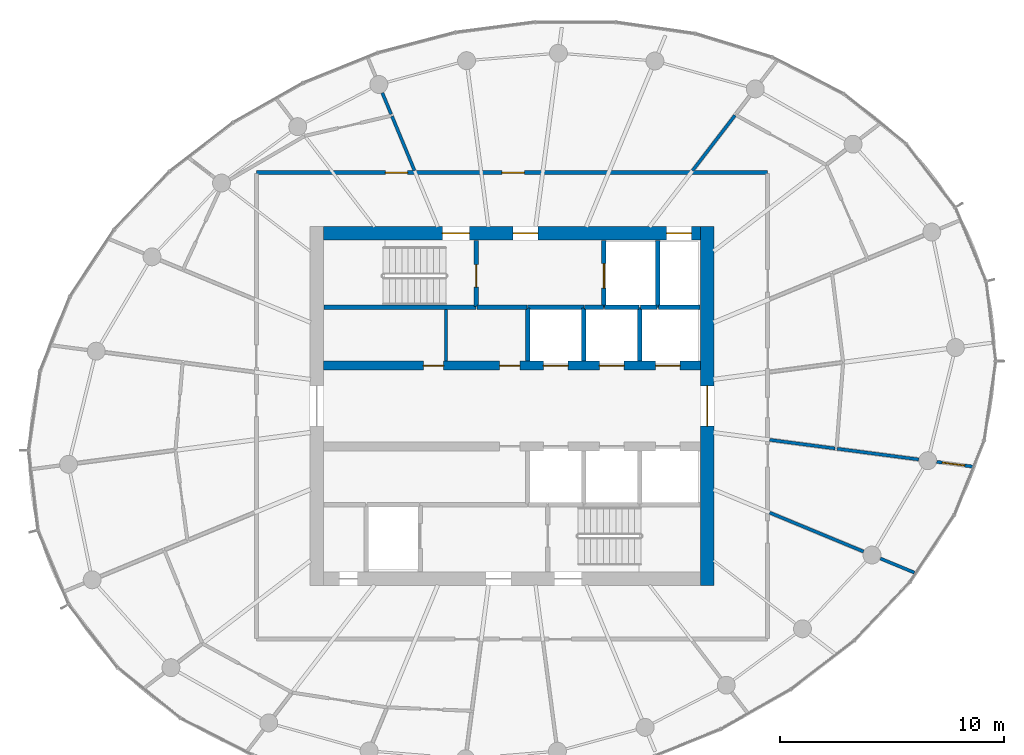
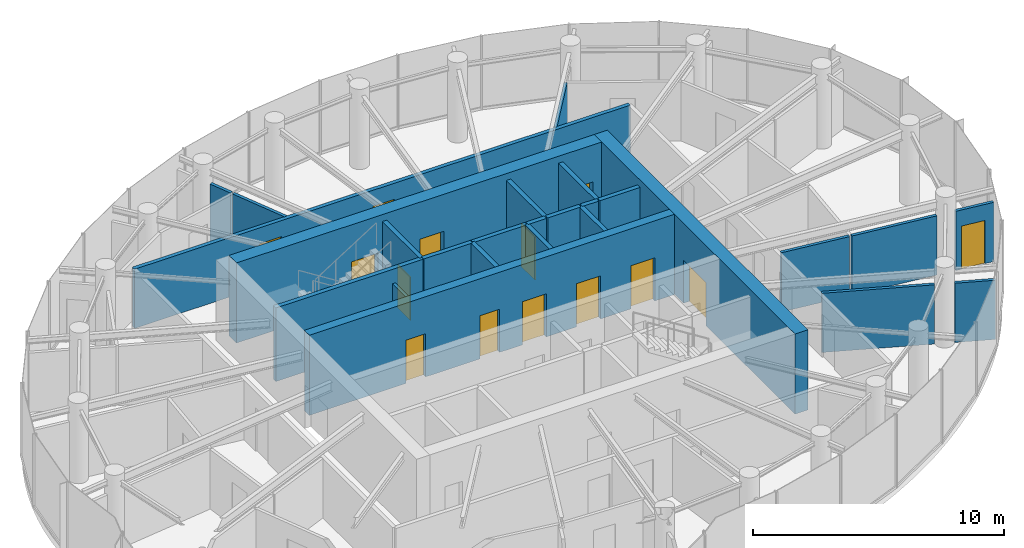
# One storey, part 10 of 13: 26 walls, 14 doors, 14 openings.
"""IFC4 building model written with IfcOpenShell, lengths in metres."""

from ifc_helpers import new_model, si_unit, direction, frame, frame_2d, origin, place, context, subcontext, project, spatial, rectangle, extrude, source, transform, mapped, material, layer, layer_set, type_object, element, fill, save


model = new_model("IFC4")

# Units and contexts
model_context = context("Model", 3, precision=1e-05, world=origin(), true_north=direction((0.0, 1.0)))
body_context = subcontext(model_context, "Body", "Model", "MODEL_VIEW")
ifc_project = project(units=[si_unit("LENGTHUNIT", "METRE"), si_unit("AREAUNIT", "SQUARE_METRE"), si_unit("VOLUMEUNIT", "CUBIC_METRE"), si_unit("PLANEANGLEUNIT", "RADIAN"), si_unit("MASSUNIT", "GRAM", prefix="KILO")], contexts=[model_context])

# Site, building, storey
site_placement = place(None, origin())
site = spatial("IfcSite", under=ifc_project, at=site_placement, CompositionType="ELEMENT")
building_placement = place(site_placement, origin())
building = spatial("IfcBuilding", under=site, at=building_placement, Name="Spindrift Exchange Tower", CompositionType="ELEMENT")
storey_placement = place(building_placement, frame((0.0, 0.0, 257.89990234375)))
storey = spatial("IfcBuildingStorey", under=building, at=storey_placement, Name="L63", CompositionType="ELEMENT", Elevation=257.89990234375)

# Wall, opening, door
ifc_material_1 = material(Name="Concrete 50 MPa", Category="concrete")
ifc_layer_1 = layer(ifc_material_1, 0.60009765625)
ifc_layer_set_1 = layer_set([ifc_layer_1], Name="RC Core Wall 600 Concrete 50 MPa")
wall_type_1 = type_object("IfcWallType", Name="RC Core Wall 600 Concrete 50 MPa", PredefinedType="SHEAR", material=ifc_layer_set_1)
wall_1_placement = place(storey_placement, frame((60.699951171875, 40.0, 0.0), z_axis=(0.0, 0.0, 1.0), x_axis=(0.0, 1.0, 0.0)))
wall_1 = element("IfcWall", 1, at=wall_1_placement, inside=storey, type_object=wall_type_1, Name="Core wall E L63", PredefinedType="SHEAR", context=body_context, shape_type="SweptSolid", body=[
    extrude(rectangle(XDim=16.0, YDim=0.60009765625, at=frame_2d((8.0, 0.0))), origin(), (0.0, 0.0, 1.0), 3.900146484375),
])
opening_1_placement = place(wall_1_placement, frame((7.10009765625, 0.0, 0.0)))
opening_1 = element("IfcOpeningElement", 2, at=opening_1_placement, cuts=wall_1, Name="Opening L63-D2", PredefinedType="OPENING", context=body_context, shape_type="SweptSolid", body=[
    extrude(rectangle(XDim=1.800048828125, YDim=2.10009765625, at=frame_2d((0.89990234375, 1.050048828125))), frame((0.0, 0.31005859375, 0.0), z_axis=(0.0, -1.0, 0.0), x_axis=(1.0, 0.0, 0.0)), (0.0, 0.0, 1.0), 0.6201171875),
])
ifc_material_2 = material(Name="Timber-core fire door", Category="wood")
door_type_1 = type_object("IfcDoorType", Name="DR-LOBBY-1800", OperationType="NOTDEFINED", PredefinedType="DOOR", material=ifc_material_2)
shared_shape_1 = source(origin(), body_context, "Body", "SweptSolid", [
    extrude(rectangle(XDim=1.800048828125, YDim=2.10009765625, at=frame_2d((0.89990234375, 1.050048828125))), frame((0.0, 0.02490234375, 0.0), z_axis=(0.0, -1.0, 0.0), x_axis=(1.0, 0.0, 0.0)), (0.0, 0.0, 1.0), 0.050048828125),
])
door_1_placement = place(opening_1_placement, origin())
door_1 = element("IfcDoor", 3, at=door_1_placement, inside=storey, type_object=door_type_1, Name="L63 Lobby door 2", OperationType="SINGLE_SWING_RIGHT", OverallHeight=2.10009765625, OverallWidth=1.800048828125, PredefinedType="DOOR", context=body_context, shape_type="MappedRepresentation", body=[
    mapped(shared_shape_1, transform((0.0, 0.0, 0.0), scale=1.0)),
])
fill(opening_1, door_1)

# Wall, openings, doors
wall_2_placement = place(storey_placement, frame((60.39990234375, 55.699951171875, 0.0), z_axis=(0.0, 0.0, 1.0), x_axis=(-1.0, 0.0, 0.0)))
wall_2 = element("IfcWall", 4, at=wall_2_placement, inside=storey, type_object=wall_type_1, Name="Core wall N L63", PredefinedType="SHEAR", context=body_context, shape_type="SweptSolid", body=[
    extrude(rectangle(XDim=16.7998046875, YDim=0.60009765625, at=frame_2d((8.39990234375, 0.0))), origin(), (0.0, 0.0, 1.0), 3.900146484375),
])
opening_2_placement = place(wall_2_placement, frame((0.39990234375, 0.0, 0.0)))
opening_2 = element("IfcOpeningElement", 5, at=opening_2_placement, cuts=wall_2, Name="Opening L63-D11", PredefinedType="OPENING", context=body_context, shape_type="SweptSolid", body=[
    extrude(rectangle(XDim=1.10009765625, YDim=2.10009765625, at=frame_2d((0.550048828125, 1.050048828125))), frame((0.0, 0.31005859375, 0.0), z_axis=(0.0, -1.0, 0.0), x_axis=(1.0, 0.0, 0.0)), (0.0, 0.0, 1.0), 0.6201171875),
])
opening_3_placement = place(wall_2_placement, frame((10.300048828125, 0.0, 0.0)))
opening_3 = element("IfcOpeningElement", 6, at=opening_3_placement, cuts=wall_2, Name="Opening L63-D12", PredefinedType="OPENING", context=body_context, shape_type="SweptSolid", body=[
    extrude(rectangle(XDim=1.199951171875, YDim=2.10009765625, at=frame_2d((0.60009765625, 1.050048828125))), frame((0.0, 0.31005859375, 0.0), z_axis=(0.0, -1.0, 0.0), x_axis=(1.0, 0.0, 0.0)), (0.0, 0.0, 1.0), 0.6201171875),
])
opening_4_placement = place(wall_2_placement, frame((7.25, 0.0, 0.0)))
opening_4 = element("IfcOpeningElement", 7, at=opening_4_placement, cuts=wall_2, Name="Opening L63-D14", PredefinedType="OPENING", context=body_context, shape_type="SweptSolid", body=[
    extrude(rectangle(XDim=1.10009765625, YDim=2.10009765625, at=frame_2d((0.550048828125, 1.050048828125))), frame((0.0, 0.31005859375, 0.0), z_axis=(0.0, -1.0, 0.0), x_axis=(1.0, 0.0, 0.0)), (0.0, 0.0, 1.0), 0.6201171875),
])
ifc_material_3 = material(Name="Stainless steel landing door", Category="steel")
door_type_2 = type_object("IfcDoorType", Name="DR-LANDING-1100-SL", OperationType="DOUBLE_DOOR_SLIDING", PredefinedType="USERDEFINED", material=ifc_material_3)
shared_shape_2 = source(origin(), body_context, "Body", "SweptSolid", [
    extrude(rectangle(XDim=1.10009765625, YDim=2.10009765625, at=frame_2d((0.550048828125, 1.050048828125))), frame((0.0, 0.02490234375, 0.0), z_axis=(0.0, -1.0, 0.0), x_axis=(1.0, 0.0, 0.0)), (0.0, 0.0, 1.0), 0.050048828125),
])
door_2_placement = place(opening_2_placement, origin())
door_2 = element("IfcDoor", 8, at=door_2_placement, inside=storey, type_object=door_type_2, Name="L63 Lift landing door 11", ObjectType="LANDING DOOR", OperationType="DOUBLE_DOOR_SLIDING", OverallHeight=2.10009765625, OverallWidth=1.10009765625, PredefinedType="USERDEFINED", context=body_context, shape_type="MappedRepresentation", body=[
    mapped(shared_shape_2, transform((0.0, 0.0, 0.0), scale=1.0)),
])
fill(opening_2, door_2)
ifc_material_4 = material(Name="Steel fire door", Category="steel")
door_type_3 = type_object("IfcDoorType", Name="DR-STAIR-1200", OperationType="NOTDEFINED", PredefinedType="DOOR", material=ifc_material_4)
shared_shape_3 = source(origin(), body_context, "Body", "SweptSolid", [
    extrude(rectangle(XDim=1.199951171875, YDim=2.10009765625, at=frame_2d((0.60009765625, 1.050048828125))), frame((0.0, 0.02490234375, 0.0), z_axis=(0.0, -1.0, 0.0), x_axis=(1.0, 0.0, 0.0)), (0.0, 0.0, 1.0), 0.050048828125),
])
door_3_placement = place(opening_3_placement, origin())
door_3 = element("IfcDoor", 9, at=door_3_placement, inside=storey, type_object=door_type_3, Name="L63 Stair door 12", OperationType="SINGLE_SWING_LEFT", OverallHeight=2.10009765625, OverallWidth=1.199951171875, PredefinedType="DOOR", context=body_context, shape_type="MappedRepresentation", body=[
    mapped(shared_shape_3, transform((0.0, 0.0, 0.0), scale=1.0)),
])
fill(opening_3, door_3)
door_type_4 = type_object("IfcDoorType", Name="DR-LOBBY-1100", OperationType="NOTDEFINED", PredefinedType="DOOR", material=ifc_material_2)
shared_shape_4 = source(origin(), body_context, "Body", "SweptSolid", [
    extrude(rectangle(XDim=1.10009765625, YDim=2.10009765625, at=frame_2d((0.550048828125, 1.050048828125))), frame((0.0, 0.02490234375, 0.0), z_axis=(0.0, -1.0, 0.0), x_axis=(1.0, 0.0, 0.0)), (0.0, 0.0, 1.0), 0.050048828125),
])
door_4_placement = place(opening_4_placement, origin())
door_4 = element("IfcDoor", 10, at=door_4_placement, inside=storey, type_object=door_type_4, Name="L63 Lobby door 14", OperationType="SINGLE_SWING_LEFT", OverallHeight=2.10009765625, OverallWidth=1.10009765625, PredefinedType="DOOR", context=body_context, shape_type="MappedRepresentation", body=[
    mapped(shared_shape_4, transform((0.0, 0.0, 0.0), scale=1.0)),
])
fill(opening_4, door_4)

ifc_layer_2 = layer(ifc_material_1, 0.39990234375)
ifc_layer_set_2 = layer_set([ifc_layer_2], Name="RC Spine Wall 400 Concrete 50 MPa")
wall_type_2 = type_object("IfcWallType", Name="RC Spine Wall 400 Concrete 50 MPa", PredefinedType="SHEAR", material=ifc_layer_set_2)
wall_3_placement = place(storey_placement, frame((43.60009765625, 49.800048828125, 0.0), z_axis=(0.0, 0.0, 1.0), x_axis=(1.0, 0.0, 0.0)))
wall_3 = element("IfcWall", 11, at=wall_3_placement, inside=storey, type_object=wall_type_2, Name="Core spine wall N L63", PredefinedType="SHEAR", context=body_context, shape_type="SweptSolid", body=[
    extrude(rectangle(XDim=16.7998046875, YDim=0.39990234375, at=frame_2d((8.39990234375, 0.0))), origin(), (0.0, 0.0, 1.0), 3.900146484375),
])
opening_5_placement = place(wall_3_placement, frame((9.800048828125, 0.0, 0.0)))
opening_5 = element("IfcOpeningElement", 12, at=opening_5_placement, cuts=wall_3, Name="Opening L63-D3", PredefinedType="OPENING", context=body_context, shape_type="SweptSolid", body=[
    extrude(rectangle(XDim=1.10009765625, YDim=2.10009765625, at=frame_2d((0.550048828125, 1.050048828125))), frame((0.0, 0.2099609375, 0.0), z_axis=(0.0, -1.0, 0.0), x_axis=(1.0, 0.0, 0.0)), (0.0, 0.0, 1.0), 0.419921875),
])
opening_6_placement = place(wall_3_placement, frame((12.300048828125, 0.0, 0.0)))
opening_6 = element("IfcOpeningElement", 13, at=opening_6_placement, cuts=wall_3, Name="Opening L63-D4", PredefinedType="OPENING", context=body_context, shape_type="SweptSolid", body=[
    extrude(rectangle(XDim=1.10009765625, YDim=2.10009765625, at=frame_2d((0.550048828125, 1.050048828125))), frame((0.0, 0.2099609375, 0.0), z_axis=(0.0, -1.0, 0.0), x_axis=(1.0, 0.0, 0.0)), (0.0, 0.0, 1.0), 0.419921875),
])
opening_7_placement = place(wall_3_placement, frame((14.800048828125, 0.0, 0.0)))
opening_7 = element("IfcOpeningElement", 14, at=opening_7_placement, cuts=wall_3, Name="Opening L63-D5", PredefinedType="OPENING", context=body_context, shape_type="SweptSolid", body=[
    extrude(rectangle(XDim=1.10009765625, YDim=2.10009765625, at=frame_2d((0.550048828125, 1.050048828125))), frame((0.0, 0.2099609375, 0.0), z_axis=(0.0, -1.0, 0.0), x_axis=(1.0, 0.0, 0.0)), (0.0, 0.0, 1.0), 0.419921875),
])
opening_8_placement = place(wall_3_placement, frame((4.449951171875, 0.0, 0.0)))
opening_8 = element("IfcOpeningElement", 15, at=opening_8_placement, cuts=wall_3, Name="Opening L63-D43", PredefinedType="OPENING", context=body_context, shape_type="SweptSolid", body=[
    extrude(rectangle(XDim=0.89990234375, YDim=2.10009765625, at=frame_2d((0.449951171875, 1.050048828125))), frame((0.0, 0.2099609375, 0.0), z_axis=(0.0, -1.0, 0.0), x_axis=(1.0, 0.0, 0.0)), (0.0, 0.0, 1.0), 0.419921875),
])
opening_9_placement = place(wall_3_placement, frame((7.85009765625, 0.0, 0.0)))
opening_9 = element("IfcOpeningElement", 16, at=opening_9_placement, cuts=wall_3, Name="Opening L63-D44", PredefinedType="OPENING", context=body_context, shape_type="SweptSolid", body=[
    extrude(rectangle(XDim=0.89990234375, YDim=2.10009765625, at=frame_2d((0.449951171875, 1.050048828125))), frame((0.0, 0.2099609375, 0.0), z_axis=(0.0, -1.0, 0.0), x_axis=(1.0, 0.0, 0.0)), (0.0, 0.0, 1.0), 0.419921875),
])
door_5_placement = place(opening_5_placement, origin())
door_5 = element("IfcDoor", 17, at=door_5_placement, inside=storey, type_object=door_type_2, Name="L63 Lift landing door 3", ObjectType="LANDING DOOR", OperationType="DOUBLE_DOOR_SLIDING", OverallHeight=2.10009765625, OverallWidth=1.10009765625, PredefinedType="USERDEFINED", context=body_context, shape_type="MappedRepresentation", body=[
    mapped(shared_shape_2, transform((0.0, 0.0, 0.0), scale=1.0)),
])
fill(opening_5, door_5)
door_6_placement = place(opening_6_placement, origin())
door_6 = element("IfcDoor", 18, at=door_6_placement, inside=storey, type_object=door_type_2, Name="L63 Lift landing door 4", ObjectType="LANDING DOOR", OperationType="DOUBLE_DOOR_SLIDING", OverallHeight=2.10009765625, OverallWidth=1.10009765625, PredefinedType="USERDEFINED", context=body_context, shape_type="MappedRepresentation", body=[
    mapped(shared_shape_2, transform((0.0, 0.0, 0.0), scale=1.0)),
])
fill(opening_6, door_6)
door_7_placement = place(opening_7_placement, origin())
door_7 = element("IfcDoor", 19, at=door_7_placement, inside=storey, type_object=door_type_2, Name="L63 Lift landing door 5", ObjectType="LANDING DOOR", OperationType="DOUBLE_DOOR_SLIDING", OverallHeight=2.10009765625, OverallWidth=1.10009765625, PredefinedType="USERDEFINED", context=body_context, shape_type="MappedRepresentation", body=[
    mapped(shared_shape_2, transform((0.0, 0.0, 0.0), scale=1.0)),
])
fill(opening_7, door_7)
ifc_material_5 = material(Name="Steel access door", Category="steel")
door_type_5 = type_object("IfcDoorType", Name="DR-RISER-900", OperationType="NOTDEFINED", PredefinedType="DOOR", material=ifc_material_5)
shared_shape_5 = source(origin(), body_context, "Body", "SweptSolid", [
    extrude(rectangle(XDim=0.89990234375, YDim=2.10009765625, at=frame_2d((0.449951171875, 1.050048828125))), frame((0.0, 0.02490234375, 0.0), z_axis=(0.0, -1.0, 0.0), x_axis=(1.0, 0.0, 0.0)), (0.0, 0.0, 1.0), 0.050048828125),
])
door_8_placement = place(opening_8_placement, origin())
door_8 = element("IfcDoor", 20, at=door_8_placement, inside=storey, type_object=door_type_5, Name="L63 Riser door 43", OperationType="SINGLE_SWING_RIGHT", OverallHeight=2.10009765625, OverallWidth=0.89990234375, PredefinedType="DOOR", context=body_context, shape_type="MappedRepresentation", body=[
    mapped(shared_shape_5, transform((0.0, 0.0, 0.0), scale=1.0)),
])
fill(opening_8, door_8)
door_9_placement = place(opening_9_placement, origin())
door_9 = element("IfcDoor", 21, at=door_9_placement, inside=storey, type_object=door_type_5, Name="L63 Riser door 44", OperationType="SINGLE_SWING_LEFT", OverallHeight=2.10009765625, OverallWidth=0.89990234375, PredefinedType="DOOR", context=body_context, shape_type="MappedRepresentation", body=[
    mapped(shared_shape_5, transform((0.0, 0.0, 0.0), scale=1.0)),
])
fill(opening_9, door_9)

ifc_material_6 = material(Name="Fire-rated plasterboard partition", Category="gypsum")
ifc_layer_3 = layer(ifc_material_6, 0.179931640625)
ifc_layer_set_3 = layer_set([ifc_layer_3], Name="W-CORR-180")
wall_type_3 = type_object("IfcWallType", Name="W-CORR-180", PredefinedType="PARTITIONING", material=ifc_layer_set_3)
wall_4_placement = place(storey_placement, frame((40.60009765625, 58.39990234375, 0.0), z_axis=(0.0, 0.0, 1.0), x_axis=(1.0, 0.0, 0.0)))
wall_4 = element("IfcWall", 22, at=wall_4_placement, inside=storey, type_object=wall_type_3, Name="L63 Partition wall 27", PredefinedType="PARTITIONING", context=body_context, shape_type="SweptSolid", body=[
    extrude(rectangle(XDim=22.7998046875, YDim=0.179931640625, at=frame_2d((11.39990234375, 0.0))), origin(), (0.0, 0.0, 1.0), 2.880126953125),
])
opening_10_placement = place(wall_4_placement, frame((10.949951171875, 0.0, 0.0)))
opening_10 = element("IfcOpeningElement", 23, at=opening_10_placement, cuts=wall_4, Name="Opening L63-D25", PredefinedType="OPENING", context=body_context, shape_type="SweptSolid", body=[
    extrude(rectangle(XDim=1.0, YDim=2.10009765625, at=frame_2d((0.5, 1.050048828125))), frame((0.0, 0.099853515625, 0.0), z_axis=(0.0, -1.0, 0.0), x_axis=(1.0, 0.0, 0.0)), (0.0, 0.0, 1.0), 0.199951171875),
])
opening_11_placement = place(wall_4_placement, frame((5.75, 0.0, 0.0)))
opening_11 = element("IfcOpeningElement", 24, at=opening_11_placement, cuts=wall_4, Name="Opening L63-D26", PredefinedType="OPENING", context=body_context, shape_type="SweptSolid", body=[
    extrude(rectangle(XDim=1.0, YDim=2.10009765625, at=frame_2d((0.5, 1.050048828125))), frame((0.0, 0.099853515625, 0.0), z_axis=(0.0, -1.0, 0.0), x_axis=(1.0, 0.0, 0.0)), (0.0, 0.0, 1.0), 0.199951171875),
])
door_type_6 = type_object("IfcDoorType", Name="DR-ROOM-1000", OperationType="NOTDEFINED", PredefinedType="DOOR", material=ifc_material_2)
shared_shape_6 = source(origin(), body_context, "Body", "SweptSolid", [
    extrude(rectangle(XDim=1.0, YDim=2.10009765625, at=frame_2d((0.5, 1.050048828125))), frame((0.0, 0.02490234375, 0.0), z_axis=(0.0, -1.0, 0.0), x_axis=(1.0, 0.0, 0.0)), (0.0, 0.0, 1.0), 0.050048828125),
])
door_10_placement = place(opening_10_placement, origin())
door_10 = element("IfcDoor", 25, at=door_10_placement, inside=storey, type_object=door_type_6, Name="L63 Door 25", OperationType="SINGLE_SWING_RIGHT", OverallHeight=2.10009765625, OverallWidth=1.0, PredefinedType="DOOR", context=body_context, shape_type="MappedRepresentation", body=[
    mapped(shared_shape_6, transform((0.0, 0.0, 0.0), scale=1.0)),
])
fill(opening_10, door_10)
door_11_placement = place(opening_11_placement, origin())
door_11 = element("IfcDoor", 26, at=door_11_placement, inside=storey, type_object=door_type_6, Name="L63 Door 26", OperationType="SINGLE_SWING_LEFT", OverallHeight=2.10009765625, OverallWidth=1.0, PredefinedType="DOOR", context=body_context, shape_type="MappedRepresentation", body=[
    mapped(shared_shape_6, transform((0.0, 0.0, 0.0), scale=1.0)),
])
fill(opening_11, door_11)

# Walls
ifc_layer_4 = layer(ifc_material_6, 0.139892578125)
ifc_layer_set_4 = layer_set([ifc_layer_4], Name="W-PART-140")
wall_type_4 = type_object("IfcWallType", Name="W-PART-140", PredefinedType="PARTITIONING", material=ifc_layer_set_4)
wall_5_placement = place(storey_placement, frame((63.489990234375, 43.24072265625, 0.0), z_axis=(0.0, 0.0, 1.0), x_axis=(0.923863854318, -0.382721280679, 0.0)))
element("IfcWall", 27, at=wall_5_placement, inside=storey, type_object=wall_type_4, Name="L63 Partition wall 32", PredefinedType="PARTITIONING", context=body_context, shape_type="SweptSolid", body=[
    extrude(rectangle(XDim=4.5322265625, YDim=0.139892578125, at=frame_2d((2.26611328125, 0.0))), origin(), (0.0, 0.0, 1.0), 2.880126953125),
])
wall_6_placement = place(storey_placement, frame((66.501220703125, 46.0908203125, 0.0), z_axis=(0.0, 0.0, 1.0), x_axis=(0.99145021839, -0.130485495185, 0.0)))
element("IfcWall", 28, at=wall_6_placement, inside=storey, type_object=wall_type_4, Name="L63 Partition wall 47", PredefinedType="PARTITIONING", context=body_context, shape_type="SweptSolid", body=[
    extrude(rectangle(XDim=3.6689453125, YDim=0.139892578125, at=frame_2d((1.83447265625, 0.0))), origin(), (0.0, 0.0, 1.0), 2.880126953125),
])
wall_7_placement = place(storey_placement, frame((60.04931640625, 58.489990234375, 0.0), z_axis=(0.0, 0.0, 1.0), x_axis=(0.608731458137, 0.79337633685, 0.0)))
element("IfcWall", 29, at=wall_7_placement, inside=storey, type_object=wall_type_4, Name="L63 Partition wall 52", PredefinedType="PARTITIONING", context=body_context, shape_type="SweptSolid", body=[
    extrude(rectangle(XDim=3.10986328125, YDim=0.139892578125, at=frame_2d((1.554931640625, 0.0))), origin(), (0.0, 0.0, 1.0), 2.880126953125),
])
wall_8_placement = place(storey_placement, frame((63.489990234375, 46.4873046875, 0.0), z_axis=(0.0, 0.0, 1.0), x_axis=(0.991447220712, -0.130508270019, 0.0)))
element("IfcWall", 30, at=wall_8_placement, inside=storey, type_object=wall_type_4, Name="L63 Partition wall 55", PredefinedType="PARTITIONING", context=body_context, shape_type="SweptSolid", body=[
    extrude(rectangle(XDim=2.93701171875, YDim=0.139892578125, at=frame_2d((1.468505859375, 0.0))), origin(), (0.0, 0.0, 1.0), 2.880126953125),
])
wall_9_placement = place(storey_placement, frame((47.65478515625, 58.489990234375, 0.0), z_axis=(0.0, 0.0, 1.0), x_axis=(-0.382622530828, 0.923904756402, 0.0)))
element("IfcWall", 31, at=wall_9_placement, inside=storey, type_object=wall_type_4, Name="L63 Partition wall 57", PredefinedType="PARTITIONING", context=body_context, shape_type="SweptSolid", body=[
    extrude(rectangle(XDim=2.628173828125, YDim=0.139892578125, at=frame_2d((1.31396484375, 0.0))), origin(), (0.0, 0.0, 1.0), 2.880126953125),
])
wall_10_placement = place(storey_placement, frame((49.06005859375, 50.010009765625, 0.0), z_axis=(0.0, 0.0, 1.0), x_axis=(0.0, 1.0, 0.0)))
element("IfcWall", 32, at=wall_10_placement, inside=storey, type_object=wall_type_4, Name="L63 Partition wall 59", PredefinedType="PARTITIONING", context=body_context, shape_type="SweptSolid", body=[
    extrude(rectangle(XDim=2.2900390625, YDim=0.139892578125, at=frame_2d((1.14501953125, 0.0))), origin(), (0.0, 0.0, 1.0), 2.880126953125),
])
wall_11_placement = place(storey_placement, frame((68.42578125, 41.1962890625, 0.0), z_axis=(0.0, 0.0, 1.0), x_axis=(0.923884509339, -0.38267141702, 0.0)))
element("IfcWall", 33, at=wall_11_placement, inside=storey, type_object=wall_type_4, Name="L63 Partition wall 65", PredefinedType="PARTITIONING", context=body_context, shape_type="SweptSolid", body=[
    extrude(rectangle(XDim=1.6416015625, YDim=0.139892578125, at=frame_2d((0.82080078125, 0.0))), origin(), (0.0, 0.0, 1.0), 2.880126953125),
])

# Wall, opening, door
wall_12_placement = place(storey_placement, frame((70.941162109375, 45.50634765625, 0.0), z_axis=(0.0, 0.0, 1.0), x_axis=(0.991450239083, -0.130485337956, 0.0)))
wall_12 = element("IfcWall", 34, at=wall_12_placement, inside=storey, type_object=wall_type_4, Name="L63 Partition wall 67", PredefinedType="PARTITIONING", context=body_context, shape_type="SweptSolid", body=[
    extrude(rectangle(XDim=1.638916015625, YDim=0.139892578125, at=frame_2d((0.8193359375, 0.0))), origin(), (0.0, 0.0, 1.0), 2.880126953125),
])
opening_12_placement = place(wall_12_placement, frame((0.25, 0.0, 0.0)))
opening_12 = element("IfcOpeningElement", 35, at=opening_12_placement, cuts=wall_12, Name="Opening L63-D24", PredefinedType="OPENING", context=body_context, shape_type="SweptSolid", body=[
    extrude(rectangle(XDim=1.0, YDim=2.10009765625, at=frame_2d((0.5, 1.050048828125))), frame((0.0, 0.079833984375, 0.0), z_axis=(0.0, -1.0, 0.0), x_axis=(1.0, 0.0, 0.0)), (0.0, 0.0, 1.0), 0.159912109375),
])
door_12_placement = place(opening_12_placement, origin())
door_12 = element("IfcDoor", 36, at=door_12_placement, inside=storey, type_object=door_type_6, Name="L63 Door 24", OperationType="SINGLE_SWING_LEFT", OverallHeight=2.10009765625, OverallWidth=1.0, PredefinedType="DOOR", context=body_context, shape_type="MappedRepresentation", body=[
    mapped(shared_shape_6, transform((0.0, 0.0, 0.0), scale=1.0)),
])
fill(opening_12, door_12)

# Wall
wall_13_placement = place(storey_placement, frame((46.610595703125, 61.011474609375, 0.0), z_axis=(0.0, 0.0, 1.0), x_axis=(-0.382722926072, 0.923863172693, 0.0)))
element("IfcWall", 37, at=wall_13_placement, inside=storey, type_object=wall_type_4, Name="L63 Partition wall 80", PredefinedType="PARTITIONING", context=body_context, shape_type="SweptSolid", body=[
    extrude(rectangle(XDim=1.0263671875, YDim=0.139892578125, at=frame_2d((0.51318359375, 0.0))), origin(), (0.0, 0.0, 1.0), 2.880126953125),
])

# Wall, opening, door
ifc_material_7 = material(Name="Concrete 40 MPa", Category="concrete")
ifc_layer_5 = layer(ifc_material_7, 0.199951171875)
ifc_layer_set_5 = layer_set([ifc_layer_5], Name="W-SHAFT-200")
wall_type_5 = type_object("IfcWallType", Name="W-SHAFT-200", PredefinedType="SOLIDWALL", material=ifc_layer_set_5)
wall_14_placement = place(storey_placement, frame((56.10009765625, 55.3798828125, 0.0), z_axis=(0.0, 0.0, 1.0), x_axis=(0.0, -1.0, 0.0)))
wall_14 = element("IfcWall", 38, at=wall_14_placement, inside=storey, type_object=wall_type_5, Name="L63 Shaft wall 7", PredefinedType="SOLIDWALL", context=body_context, shape_type="SweptSolid", body=[
    extrude(rectangle(XDim=2.97998046875, YDim=0.199951171875, at=frame_2d((1.489990234375, 0.0))), origin(), (0.0, 0.0, 1.0), 3.580078125),
])
opening_13_placement = place(wall_14_placement, frame((1.030029296875, 0.0, 0.0)))
opening_13 = element("IfcOpeningElement", 39, at=opening_13_placement, cuts=wall_14, Name="Opening L63-D9", PredefinedType="OPENING", context=body_context, shape_type="SweptSolid", body=[
    extrude(rectangle(XDim=1.10009765625, YDim=2.10009765625, at=frame_2d((0.550048828125, 1.050048828125))), frame((0.0, 0.10986328125, 0.0), z_axis=(0.0, -1.0, 0.0), x_axis=(1.0, 0.0, 0.0)), (0.0, 0.0, 1.0), 0.219970703125),
])
door_13_placement = place(opening_13_placement, origin())
door_13 = element("IfcDoor", 40, at=door_13_placement, inside=storey, type_object=door_type_2, Name="L63 Lift landing door 9", ObjectType="LANDING DOOR", OperationType="DOUBLE_DOOR_SLIDING", OverallHeight=2.10009765625, OverallWidth=1.10009765625, PredefinedType="USERDEFINED", context=body_context, shape_type="MappedRepresentation", body=[
    mapped(shared_shape_2, transform((0.0, 0.0, 0.0), scale=1.0)),
])
fill(opening_13, door_13)

# Walls
wall_15_placement = place(storey_placement, frame((58.5, 52.39990234375, 0.0), z_axis=(0.0, 0.0, 1.0), x_axis=(0.0, 1.0, 0.0)))
element("IfcWall", 41, at=wall_15_placement, inside=storey, type_object=wall_type_5, Name="L63 Shaft wall 8", PredefinedType="SOLIDWALL", context=body_context, shape_type="SweptSolid", body=[
    extrude(rectangle(XDim=2.97998046875, YDim=0.199951171875, at=frame_2d((1.489990234375, 0.0))), origin(), (0.0, 0.0, 1.0), 3.580078125),
])
wall_16_placement = place(storey_placement, frame((55.199951171875, 52.39990234375, 0.0), z_axis=(0.0, 0.0, 1.0), x_axis=(-1.0, 0.0, 0.0)))
element("IfcWall", 42, at=wall_16_placement, inside=storey, type_object=wall_type_5, Name="L63 Shaft wall 10", PredefinedType="SOLIDWALL", context=body_context, shape_type="SweptSolid", body=[
    extrude(rectangle(XDim=2.5, YDim=0.199951171875, at=frame_2d((1.25, 0.0))), origin(), (0.0, 0.0, 1.0), 3.580078125),
])
for number, where, z_axis, x_axis, name in (
    (43, (52.699951171875, 52.3701171875, 0.0), (0.0, 0.0, 1.0), (0.0, -1.0, 0.0), "L63 Shaft wall 14"),
    (44, (55.199951171875, 50.010009765625, 0.0), (0.0, 0.0, 1.0), (0.0, 1.0, 0.0), "L63 Shaft wall 16"),
):
    element("IfcWall", number, at=place(storey_placement, frame(where, z_axis=z_axis, x_axis=x_axis)), inside=storey, type_object=wall_type_5, Name=name, PredefinedType="SOLIDWALL", context=body_context, shape_type="SweptSolid", body=[
        extrude(rectangle(XDim=2.360107421875, YDim=0.199951171875, at=frame_2d((1.18017578125, 0.0))), origin(), (0.0, 0.0, 1.0), 3.580078125),
    ])
wall_17_placement = place(storey_placement, frame((57.699951171875, 50.010009765625, 0.0), z_axis=(0.0, 0.0, 1.0), x_axis=(0.0, 1.0, 0.0)))
element("IfcWall", 45, at=wall_17_placement, inside=storey, type_object=wall_type_5, Name="L63 Shaft wall 18", PredefinedType="SOLIDWALL", context=body_context, shape_type="SweptSolid", body=[
    extrude(rectangle(XDim=2.389892578125, YDim=0.199951171875, at=frame_2d((1.19482421875, 0.0))), origin(), (0.0, 0.0, 1.0), 3.580078125),
])
wall_18_placement = place(storey_placement, frame((60.3798828125, 52.39990234375, 0.0), z_axis=(0.0, 0.0, 1.0), x_axis=(-1.0, 0.0, 0.0)))
element("IfcWall", 46, at=wall_18_placement, inside=storey, type_object=wall_type_5, Name="L63 Shaft wall 21", PredefinedType="SOLIDWALL", context=body_context, shape_type="SweptSolid", body=[
    extrude(rectangle(XDim=1.849853515625, YDim=0.199951171875, at=frame_2d((0.9248046875, 0.0))), origin(), (0.0, 0.0, 1.0), 3.580078125),
])
wall_19_placement = place(storey_placement, frame((57.669921875, 52.39990234375, 0.0), z_axis=(0.0, 0.0, 1.0), x_axis=(-1.0, 0.0, 0.0)))
element("IfcWall", 47, at=wall_19_placement, inside=storey, type_object=wall_type_5, Name="L63 Shaft wall 23", PredefinedType="SOLIDWALL", context=body_context, shape_type="SweptSolid", body=[
    extrude(rectangle(XDim=1.5400390625, YDim=0.199951171875, at=frame_2d((0.77001953125, 0.0))), origin(), (0.0, 0.0, 1.0), 3.580078125),
])
wall_20_placement = place(storey_placement, frame((56.070068359375, 52.39990234375, 0.0), z_axis=(0.0, 0.0, 1.0), x_axis=(-1.0, 0.0, 0.0)))
element("IfcWall", 48, at=wall_20_placement, inside=storey, type_object=wall_type_5, Name="L63 Shaft wall 25", PredefinedType="SOLIDWALL", context=body_context, shape_type="SweptSolid", body=[
    extrude(rectangle(XDim=0.840087890625, YDim=0.199951171875, at=frame_2d((0.419921875, 0.0))), origin(), (0.0, 0.0, 1.0), 3.580078125),
])
wall_21_placement = place(storey_placement, frame((58.469970703125, 52.39990234375, 0.0), z_axis=(0.0, 0.0, 1.0), x_axis=(-1.0, 0.0, 0.0)))
element("IfcWall", 49, at=wall_21_placement, inside=storey, type_object=wall_type_5, Name="L63 Shaft wall 26", PredefinedType="SOLIDWALL", context=body_context, shape_type="SweptSolid", body=[
    extrude(rectangle(XDim=0.739990234375, YDim=0.199951171875, at=frame_2d((0.3701171875, 0.0))), origin(), (0.0, 0.0, 1.0), 3.580078125),
])
ifc_layer_6 = layer(ifc_material_7, 0.199951171875)
ifc_layer_set_6 = layer_set([ifc_layer_6], Name="W-SHAFT-200-LB")
wall_type_6 = type_object("IfcWallType", Name="W-SHAFT-200-LB", PredefinedType="SOLIDWALL", material=ifc_layer_set_6)
wall_22_placement = place(storey_placement, frame((43.6201171875, 52.39990234375, 0.0), z_axis=(0.0, 0.0, 1.0), x_axis=(1.0, 0.0, 0.0)))
element("IfcWall", 50, at=wall_22_placement, inside=storey, type_object=wall_type_6, Name="L63 Shaft wall 1", PredefinedType="SOLIDWALL", context=body_context, shape_type="SweptSolid", body=[
    extrude(rectangle(XDim=6.77978515625, YDim=0.199951171875, at=frame_2d((3.389892578125, 0.0))), origin(), (0.0, 0.0, 1.0), 3.580078125),
])

# Wall, opening, door
wall_23_placement = place(storey_placement, frame((50.39990234375, 52.429931640625, 0.0), z_axis=(0.0, 0.0, 1.0), x_axis=(0.0, 1.0, 0.0)))
wall_23 = element("IfcWall", 51, at=wall_23_placement, inside=storey, type_object=wall_type_6, Name="L63 Shaft wall 5", PredefinedType="SOLIDWALL", context=body_context, shape_type="SweptSolid", body=[
    extrude(rectangle(XDim=2.949951171875, YDim=0.199951171875, at=frame_2d((1.47509765625, 0.0))), origin(), (0.0, 0.0, 1.0), 3.580078125),
])
opening_14_placement = place(wall_23_placement, frame((0.8701171875, 0.0, 0.0)))
opening_14 = element("IfcOpeningElement", 52, at=opening_14_placement, cuts=wall_23, Name="Opening L63-D13", PredefinedType="OPENING", context=body_context, shape_type="SweptSolid", body=[
    extrude(rectangle(XDim=1.0, YDim=2.10009765625, at=frame_2d((0.5, 1.050048828125))), frame((0.0, 0.10986328125, 0.0), z_axis=(0.0, -1.0, 0.0), x_axis=(1.0, 0.0, 0.0)), (0.0, 0.0, 1.0), 0.219970703125),
])
door_type_7 = type_object("IfcDoorType", Name="DR-STAIR-1000", OperationType="NOTDEFINED", PredefinedType="DOOR", material=ifc_material_4)
shared_shape_7 = source(origin(), body_context, "Body", "SweptSolid", [
    extrude(rectangle(XDim=1.0, YDim=2.10009765625, at=frame_2d((0.5, 1.050048828125))), frame((0.0, 0.02490234375, 0.0), z_axis=(0.0, -1.0, 0.0), x_axis=(1.0, 0.0, 0.0)), (0.0, 0.0, 1.0), 0.050048828125),
])
door_14_placement = place(opening_14_placement, origin())
door_14 = element("IfcDoor", 53, at=door_14_placement, inside=storey, type_object=door_type_7, Name="L63 Stair door 13", OperationType="SINGLE_SWING_RIGHT", OverallHeight=2.10009765625, OverallWidth=1.0, PredefinedType="DOOR", context=body_context, shape_type="MappedRepresentation", body=[
    mapped(shared_shape_7, transform((0.0, 0.0, 0.0), scale=1.0)),
])
fill(opening_14, door_14)

# Wall
wall_24_placement = place(storey_placement, frame((50.429931640625, 52.39990234375, 0.0), z_axis=(0.0, 0.0, 1.0), x_axis=(1.0, 0.0, 0.0)))
element("IfcWall", 54, at=wall_24_placement, inside=storey, type_object=wall_type_6, Name="L63 Shaft wall 19", PredefinedType="SOLIDWALL", context=body_context, shape_type="SweptSolid", body=[
    extrude(rectangle(XDim=2.239990234375, YDim=0.199951171875, at=frame_2d((1.1201171875, 0.0))), origin(), (0.0, 0.0, 1.0), 3.580078125),
])

save(model, "model.ifc")
